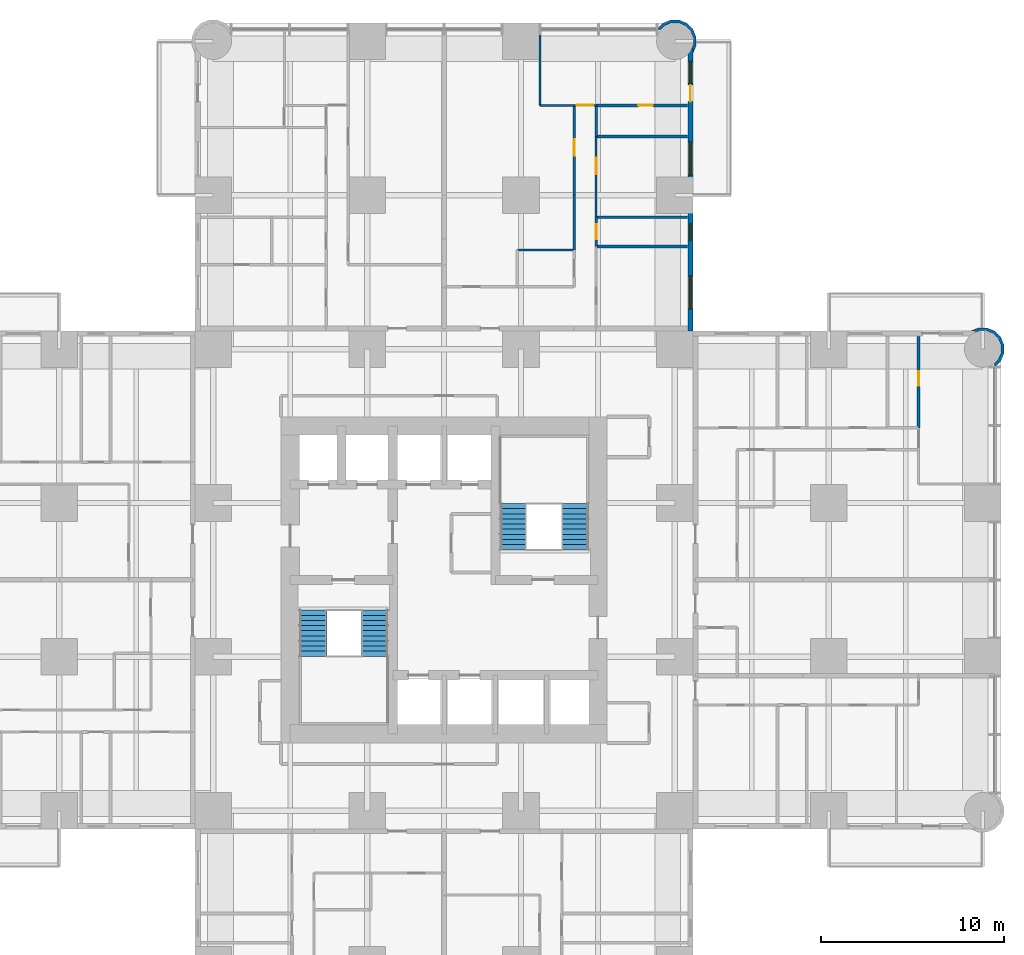
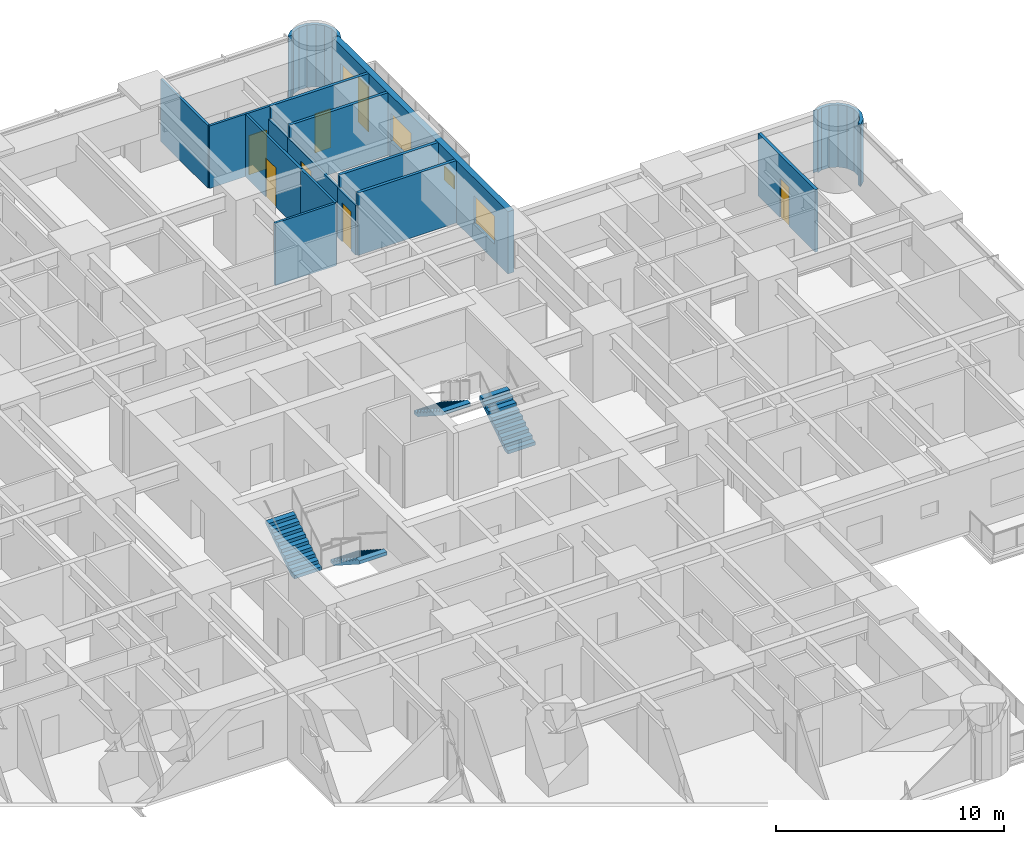
# One storey, part 15 of 17: 17 walls, 7 doors, 4 stair flights, 4 windows, 11 openings, 2 elements without a shape of their own.
"""IFC4 building model written with IfcOpenShell, lengths in metres."""

from ifc_helpers import new_model, si_unit, direction, frame, frame_2d, origin, place, context, subcontext, project, spatial, polyline, rectangle, outline, extrude, material, layer, layer_set, type_object, element, fill, aggregate, save


model = new_model("IFC4")

# Units and contexts
model_context = context("Model", 3, precision=1e-05, world=origin(), true_north=direction((0.0, 1.0)))
body_context = subcontext(model_context, "Body", "Model", "MODEL_VIEW")
ifc_project = project(units=[si_unit("LENGTHUNIT", "METRE"), si_unit("AREAUNIT", "SQUARE_METRE"), si_unit("VOLUMEUNIT", "CUBIC_METRE"), si_unit("PLANEANGLEUNIT", "RADIAN"), si_unit("MASSUNIT", "GRAM", prefix="KILO")], contexts=[model_context])

# Site, building, storey
site_placement = place(None, origin())
site = spatial("IfcSite", under=ifc_project, at=site_placement, CompositionType="ELEMENT")
building_placement = place(site_placement, origin())
building = spatial("IfcBuilding", under=site, at=building_placement, Name="Torre Alcanfor", CompositionType="ELEMENT")
storey_placement = place(building_placement, frame((0.0, 0.0, 99.300048828125)))
storey = spatial("IfcBuildingStorey", under=building, at=storey_placement, Name="L25", CompositionType="ELEMENT", Elevation=99.300048828125)

# Walls
ifc_material_1 = material(Name="Gypsum board on steel studs", Category="steel")
ifc_layer_1 = layer(ifc_material_1, 0.1201171875)
ifc_layer_set_1 = layer_set([ifc_layer_1], Name="Apartment partition 120")
wall_type_1 = type_object("IfcWallType", Name="Apartment partition 120", PredefinedType="PARTITIONING", material=ifc_layer_set_1)
wall_1_placement = place(storey_placement, frame((36.5, 47.39990234375, 0.0), z_axis=(0.0, 0.0, 1.0), x_axis=(-1.0, 0.0, 0.0)))
element("IfcWall", 1, at=wall_1_placement, inside=storey, type_object=wall_type_1, Name="Partition L25-N2-KITCHEN / L25-N2-UTIL", PredefinedType="PARTITIONING", context=body_context, shape_type="SweptSolid", body=[
    extrude(rectangle(XDim=3.10009765625, YDim=0.1201171875, at=frame_2d((1.550048828125, 0.0))), origin(), (0.0, 0.0, 1.0), 3.349853515625),
])
wall_2_placement = place(storey_placement, frame((36.5, 50.39990234375, 0.0), z_axis=(0.0, 0.0, 1.0), x_axis=(0.0, -1.0, 0.0)))
element("IfcWall", 2, at=wall_2_placement, inside=storey, type_object=wall_type_1, Name="Partition L25-N2-KITCHEN / L25-N2-HALL", PredefinedType="PARTITIONING", context=body_context, shape_type="SweptSolid", body=[
    extrude(rectangle(XDim=3.0, YDim=0.1201171875, at=frame_2d((1.5, 0.0))), origin(), (0.0, 0.0, 1.0), 3.349853515625),
])

# Wall, opening, door
wall_3_placement = place(storey_placement, frame((36.5, 55.300048828125, 0.0), z_axis=(0.0, 0.0, 1.0), x_axis=(0.0, -1.0, 0.0)))
wall_3 = element("IfcWall", 3, at=wall_3_placement, inside=storey, type_object=wall_type_1, Name="Partition L25-N2-LIVING / L25-N2-HALL", PredefinedType="PARTITIONING", context=body_context, shape_type="SweptSolid", body=[
    extrude(rectangle(XDim=4.900146484375, YDim=0.1201171875, at=frame_2d((2.4501953125, 0.0))), origin(), (0.0, 0.0, 1.0), 3.349853515625),
])
opening_1_placement = place(wall_3_placement, frame((1.85009765625, 0.0, 0.0)))
opening_1 = element("IfcOpeningElement", 4, at=opening_1_placement, cuts=wall_3, Name="Opening D-R1", PredefinedType="OPENING", context=body_context, shape_type="SweptSolid", body=[
    extrude(rectangle(XDim=0.89990234375, YDim=2.10009765625, at=frame_2d((0.449951171875, 1.050048828125))), frame((0.0, 0.070068359375, 0.0), z_axis=(0.0, -1.0, 0.0), x_axis=(1.0, 0.0, 0.0)), (0.0, 0.0, 1.0), 0.14013671875),
])
ifc_material_2 = material(Name="Timber", Category="wood")
door_type_1 = type_object("IfcDoorType", Name="Internal door 900x2100", OperationType="SINGLE_SWING_LEFT", PredefinedType="DOOR", material=ifc_material_2)
door_1_placement = place(opening_1_placement, frame((0.89990234375, 0.0, 0.0), z_axis=(0.0, 0.0, 1.0), x_axis=(-1.0, 0.0, 0.0)))
door_1 = element("IfcDoor", 5, at=door_1_placement, inside=storey, type_object=door_type_1, Name="Door L25-N2 living", OperationType="SINGLE_SWING_RIGHT", OverallHeight=2.10009765625, OverallWidth=0.89990234375, PredefinedType="DOOR", context=body_context, shape_type="SweptSolid", body=[
    extrude(rectangle(XDim=0.89990234375, YDim=2.10009765625, at=frame_2d((0.449951171875, 1.050048828125))), frame((0.0, 0.025146484375, 0.0), z_axis=(0.0, -1.0, 0.0), x_axis=(1.0, 0.0, 0.0)), (0.0, 0.0, 1.0), 0.050048828125),
])
fill(opening_1, door_1)

# Walls
wall_4_placement = place(storey_placement, frame((34.62890625, 59.449951171875, 0.0), z_axis=(0.0, 0.0, 1.0), x_axis=(0.0, -1.0, 0.0)))
element("IfcWall", 6, at=wall_4_placement, inside=storey, type_object=wall_type_1, Name="Partition L25-N2-LIVING / L25-N2-MASTER", PredefinedType="PARTITIONING", context=body_context, shape_type="SweptSolid", body=[
    extrude(rectangle(XDim=4.14990234375, YDim=0.1201171875, at=frame_2d((2.074951171875, 0.0))), origin(), (0.0, 0.0, 1.0), 3.349853515625),
])
wall_5_placement = place(storey_placement, frame((34.62890625, 55.300048828125, 0.0), z_axis=(0.0, 0.0, 1.0), x_axis=(1.0, 0.0, 0.0)))
element("IfcWall", 7, at=wall_5_placement, inside=storey, type_object=wall_type_1, Name="Partition L25-N2-LIVING / L25-N2-MASTER", PredefinedType="PARTITIONING", context=body_context, shape_type="SweptSolid", body=[
    extrude(rectangle(XDim=1.87109375, YDim=0.1201171875, at=frame_2d((0.935546875, 0.0))), origin(), (0.0, 0.0, 1.0), 3.349853515625),
])

# Wall, opening, door
wall_6_placement = place(storey_placement, frame((37.699951171875, 53.60009765625, 0.0), z_axis=(0.0, 0.0, 1.0), x_axis=(0.0, -1.0, 0.0)))
wall_6 = element("IfcWall", 8, at=wall_6_placement, inside=storey, type_object=wall_type_1, Name="Partition L25-N2-HALL / L25-N2-BED2", PredefinedType="PARTITIONING", context=body_context, shape_type="SweptSolid", body=[
    extrude(rectangle(XDim=4.400146484375, YDim=0.1201171875, at=frame_2d((2.2001953125, 0.0))), origin(), (0.0, 0.0, 1.0), 2.666748046875),
])
opening_2_placement = place(wall_6_placement, frame((1.14990234375, 0.0, 0.0)))
opening_2 = element("IfcOpeningElement", 9, at=opening_2_placement, cuts=wall_6, Name="Opening D-R1", PredefinedType="OPENING", context=body_context, shape_type="SweptSolid", body=[
    extrude(rectangle(XDim=0.89990234375, YDim=2.10009765625, at=frame_2d((0.449951171875, 1.050048828125))), frame((0.0, 0.070068359375, 0.0), z_axis=(0.0, -1.0, 0.0), x_axis=(1.0, 0.0, 0.0)), (0.0, 0.0, 1.0), 0.14013671875),
])
door_2_placement = place(opening_2_placement, origin())
door_2 = element("IfcDoor", 10, at=door_2_placement, inside=storey, type_object=door_type_1, Name="Door L25-N2 bed2", OperationType="SINGLE_SWING_LEFT", OverallHeight=2.10009765625, OverallWidth=0.89990234375, PredefinedType="DOOR", context=body_context, shape_type="SweptSolid", body=[
    extrude(rectangle(XDim=0.89990234375, YDim=2.10009765625, at=frame_2d((0.449951171875, 1.050048828125))), frame((0.0, 0.02490234375, 0.0), z_axis=(0.0, -1.0, 0.0), x_axis=(1.0, 0.0, 0.0)), (0.0, 0.0, 1.0), 0.050048828125),
])
fill(opening_2, door_2)

wall_7_placement = place(storey_placement, frame((36.5, 55.300048828125, 0.0), z_axis=(0.0, 0.0, 1.0), x_axis=(1.0, 0.0, 0.0)))
wall_7 = element("IfcWall", 11, at=wall_7_placement, inside=storey, type_object=wall_type_1, Name="Partition L25-N2-HALL / L25-N2-MASTER", PredefinedType="PARTITIONING", context=body_context, shape_type="SweptSolid", body=[
    extrude(rectangle(XDim=1.199951171875, YDim=0.1201171875, at=frame_2d((0.60009765625, 0.0))), origin(), (0.0, 0.0, 1.0), 3.349853515625),
])
opening_3_placement = place(wall_7_placement, frame((0.14990234375, 0.0, 0.0)))
opening_3 = element("IfcOpeningElement", 12, at=opening_3_placement, cuts=wall_7, Name="Opening D-R1", PredefinedType="OPENING", context=body_context, shape_type="SweptSolid", body=[
    extrude(rectangle(XDim=0.89990234375, YDim=2.10009765625, at=frame_2d((0.449951171875, 1.050048828125))), frame((0.0, 0.070068359375, 0.0), z_axis=(0.0, -1.0, 0.0), x_axis=(1.0, 0.0, 0.0)), (0.0, 0.0, 1.0), 0.14013671875),
])
door_3_placement = place(opening_3_placement, origin())
door_3 = element("IfcDoor", 13, at=door_3_placement, inside=storey, type_object=door_type_1, Name="Door L25-N2 master", OperationType="SINGLE_SWING_LEFT", OverallHeight=2.10009765625, OverallWidth=0.89990234375, PredefinedType="DOOR", context=body_context, shape_type="SweptSolid", body=[
    extrude(rectangle(XDim=0.89990234375, YDim=2.10009765625, at=frame_2d((0.449951171875, 1.050048828125))), frame((0.0, 0.02490234375, 0.0), z_axis=(0.0, -1.0, 0.0), x_axis=(1.0, 0.0, 0.0)), (0.0, 0.0, 1.0), 0.050048828125),
])
fill(opening_3, door_3)

# Wall, openings, door, windows
ifc_material_3 = material(Name="Limestone cladding", Category="masonry")
ifc_layer_2 = layer(ifc_material_3, 0.0400390625, Name="Facing")
ifc_material_4 = material(Name="Ventilated air cavity")
ifc_layer_3 = layer(ifc_material_4, 0.02001953125, ventilated=True, Name="Ventilated joint")
ifc_material_5 = material(Name="Mineral wool insulation", Category="insulation")
ifc_layer_4 = layer(ifc_material_5, 0.10009765625, Name="Insulation")
ifc_material_6 = material(Name="Concrete f'c 35 MPa", Category="concrete")
ifc_layer_5 = layer(ifc_material_6, 0.139892578125, Name="Backing")
ifc_layer_set_2 = layer_set([ifc_layer_2, ifc_layer_3, ifc_layer_4, ifc_layer_5], Name="External wall stone-clad 300")
wall_type_2 = type_object("IfcWallType", Name="External wall stone-clad 300", PredefinedType="SOLIDWALL", material=ifc_layer_set_2)
wall_8_placement = place(storey_placement, frame((42.85009765625, 43.0, 0.0), z_axis=(0.0, 0.0, 1.0), x_axis=(0.0, 1.0, 0.0)))
wall_8 = element("IfcWall", 14, at=wall_8_placement, inside=storey, type_object=wall_type_2, Name="External wall L25 10", PredefinedType="SOLIDWALL", context=body_context, shape_type="SweptSolid", body=[
    extrude(rectangle(XDim=15.39990234375, YDim=0.300048828125, at=frame_2d((7.699951171875, 0.0))), origin(), (0.0, 0.0, 1.0), 3.349853515625),
])
opening_4_placement = place(wall_8_placement, frame((1.199951171875, 0.0, 0.89990234375)))
opening_4 = element("IfcOpeningElement", 15, at=opening_4_placement, cuts=wall_8, Name="Opening W2", PredefinedType="OPENING", context=body_context, shape_type="SweptSolid", body=[
    extrude(rectangle(XDim=1.800048828125, YDim=1.5, at=frame_2d((0.89990234375, 0.75))), frame((0.0, 0.159912109375, 0.0), z_axis=(0.0, -1.0, 0.0), x_axis=(1.0, 0.0, 0.0)), (0.0, 0.0, 1.0), 0.320068359375),
])
opening_5_placement = place(wall_8_placement, frame((4.949951171875, 0.0, 1.5)))
opening_5 = element("IfcOpeningElement", 16, at=opening_5_placement, cuts=wall_8, Name="Opening W3", PredefinedType="OPENING", context=body_context, shape_type="SweptSolid", body=[
    extrude(rectangle(XDim=0.89990234375, YDim=0.699951171875, at=frame_2d((0.449951171875, 0.35009765625))), frame((0.0, 0.159912109375, 0.0), z_axis=(0.0, -1.0, 0.0), x_axis=(1.0, 0.0, 0.0)), (0.0, 0.0, 1.0), 0.320068359375),
])
opening_6_placement = place(wall_8_placement, frame((8.5, 0.0, 0.89990234375)))
opening_6 = element("IfcOpeningElement", 17, at=opening_6_placement, cuts=wall_8, Name="Opening W2", PredefinedType="OPENING", context=body_context, shape_type="SweptSolid", body=[
    extrude(rectangle(XDim=1.800048828125, YDim=1.5, at=frame_2d((0.89990234375, 0.75))), frame((0.0, 0.159912109375, 0.0), z_axis=(0.0, -1.0, 0.0), x_axis=(1.0, 0.0, 0.0)), (0.0, 0.0, 1.0), 0.320068359375),
])
opening_7_placement = place(wall_8_placement, frame((12.5, 0.0, 0.0)))
opening_7 = element("IfcOpeningElement", 18, at=opening_7_placement, cuts=wall_8, Name="Opening D-B1", PredefinedType="OPENING", context=body_context, shape_type="SweptSolid", body=[
    extrude(rectangle(XDim=0.89990234375, YDim=2.39990234375, at=frame_2d((0.449951171875, 1.199951171875))), frame((0.0, 0.159912109375, 0.0), z_axis=(0.0, -1.0, 0.0), x_axis=(1.0, 0.0, 0.0)), (0.0, 0.0, 1.0), 0.320068359375),
])
opening_8_placement = place(wall_8_placement, frame((13.5, 0.0, 0.89990234375)))
opening_8 = element("IfcOpeningElement", 19, at=opening_8_placement, cuts=wall_8, Name="Opening W4", PredefinedType="OPENING", context=body_context, shape_type="SweptSolid", body=[
    extrude(rectangle(XDim=1.199951171875, YDim=1.5, at=frame_2d((0.60009765625, 0.75))), frame((0.0, 0.159912109375, 0.0), z_axis=(0.0, -1.0, 0.0), x_axis=(1.0, 0.0, 0.0)), (0.0, 0.0, 1.0), 0.320068359375),
])
ifc_material_7 = material(Name="Aluminium and glass", Category="aluminium")
door_type_2 = type_object("IfcDoorType", Name="Balcony door glazed 900x2400", OperationType="SINGLE_SWING_LEFT", PredefinedType="DOOR", material=ifc_material_7)
door_4_placement = place(opening_7_placement, origin())
door_4 = element("IfcDoor", 20, at=door_4_placement, inside=storey, type_object=door_type_2, Name="Balcony door L25-N2", OperationType="SINGLE_SWING_LEFT", OverallHeight=2.39990234375, OverallWidth=0.89990234375, PredefinedType="DOOR", context=body_context, shape_type="SweptSolid", body=[
    extrude(rectangle(XDim=0.89990234375, YDim=2.39990234375, at=frame_2d((0.449951171875, 1.199951171875))), frame((0.0, 0.02490234375, 0.0), z_axis=(0.0, -1.0, 0.0), x_axis=(1.0, 0.0, 0.0)), (0.0, 0.0, 1.0), 0.050048828125),
])
fill(opening_7, door_4)
ifc_material_8 = material(Name="Aluminium frame with clear double glazing", Category="aluminium")
window_type_1 = type_object("IfcWindowType", Name="Window bathroom 900x700", PartitioningType="SINGLE_PANEL", PredefinedType="WINDOW", material=ifc_material_8)
window_1_placement = place(opening_5_placement, origin())
window_1 = element("IfcWindow", 21, at=window_1_placement, inside=storey, type_object=window_type_1, Name="Window W3 L25-N2", OverallHeight=0.699951171875, OverallWidth=0.89990234375, PartitioningType="SINGLE_PANEL", PredefinedType="WINDOW", context=body_context, shape_type="SweptSolid", body=[
    extrude(rectangle(XDim=0.89990234375, YDim=0.699951171875, at=frame_2d((0.449951171875, 0.35009765625))), frame((0.0, 0.030029296875, 0.0), z_axis=(0.0, -1.0, 0.0), x_axis=(1.0, 0.0, 0.0)), (0.0, 0.0, 1.0), 0.06005859375),
])
fill(opening_5, window_1)
ifc_material_9 = material(Name="Aluminium frame with clear double glazing", Category="aluminium")
window_type_2 = type_object("IfcWindowType", Name="Window bedroom 1200x1500", PartitioningType="SINGLE_PANEL", PredefinedType="WINDOW", material=ifc_material_9)
window_2_placement = place(opening_8_placement, origin())
window_2 = element("IfcWindow", 22, at=window_2_placement, inside=storey, type_object=window_type_2, Name="Window W4 L25-N2", OverallHeight=1.5, OverallWidth=1.199951171875, PartitioningType="SINGLE_PANEL", PredefinedType="WINDOW", context=body_context, shape_type="SweptSolid", body=[
    extrude(rectangle(XDim=1.199951171875, YDim=1.5, at=frame_2d((0.60009765625, 0.75))), frame((0.0, 0.030029296875, 0.0), z_axis=(0.0, -1.0, 0.0), x_axis=(1.0, 0.0, 0.0)), (0.0, 0.0, 1.0), 0.06005859375),
])
fill(opening_8, window_2)
ifc_material_10 = material(Name="Aluminium frame with clear double glazing", Category="aluminium")
window_type_3 = type_object("IfcWindowType", Name="Window bedroom 1800x1500", PartitioningType="SINGLE_PANEL", PredefinedType="WINDOW", material=ifc_material_10)
window_3_placement = place(opening_4_placement, origin())
window_3 = element("IfcWindow", 23, at=window_3_placement, inside=storey, type_object=window_type_3, Name="Window W2 L25-N2", OverallHeight=1.5, OverallWidth=1.800048828125, PartitioningType="SINGLE_PANEL", PredefinedType="WINDOW", context=body_context, shape_type="SweptSolid", body=[
    extrude(rectangle(XDim=1.800048828125, YDim=1.5, at=frame_2d((0.89990234375, 0.75))), frame((0.0, 0.030029296875, 0.0), z_axis=(0.0, -1.0, 0.0), x_axis=(1.0, 0.0, 0.0)), (0.0, 0.0, 1.0), 0.06005859375),
])
fill(opening_4, window_3)
window_4_placement = place(opening_6_placement, origin())
window_4 = element("IfcWindow", 24, at=window_4_placement, inside=storey, type_object=window_type_3, Name="Window W2 L25-N2", OverallHeight=1.5, OverallWidth=1.800048828125, PartitioningType="SINGLE_PANEL", PredefinedType="WINDOW", context=body_context, shape_type="SweptSolid", body=[
    extrude(rectangle(XDim=1.800048828125, YDim=1.5, at=frame_2d((0.89990234375, 0.75))), frame((0.0, 0.030029296875, 0.0), z_axis=(0.0, -1.0, 0.0), x_axis=(1.0, 0.0, 0.0)), (0.0, 0.0, 1.0), 0.06005859375),
])
fill(opening_6, window_4)

# Walls
ifc_layer_6 = layer(ifc_material_3, 0.0400390625, Name="Facing")
ifc_layer_7 = layer(ifc_material_4, 0.02001953125, ventilated=True, Name="Ventilated joint")
ifc_layer_8 = layer(ifc_material_5, 0.10009765625, Name="Insulation")
ifc_layer_9 = layer(ifc_material_6, 0.139892578125, Name="Backing")
ifc_layer_set_3 = layer_set([ifc_layer_6, ifc_layer_7, ifc_layer_8, ifc_layer_9], Name="Rounded corner pier stone-clad 300")
wall_type_3 = type_object("IfcWallType", Name="Rounded corner pier stone-clad 300", PredefinedType="SOLIDWALL", material=ifc_layer_set_3)
wall_9_placement = place(storey_placement, frame((59.443275148, 41.132476465, 0.0), z_axis=(0.0, 0.0, 1.0), x_axis=(0.831199417842, 0.555974394895, 0.0)))
element("IfcWall", 25, at=wall_9_placement, inside=storey, type_object=wall_type_3, Name="Corner pier L25 18", PredefinedType="SOLIDWALL", context=body_context, shape_type="SweptSolid", body=[
    extrude(outline(polyline([(0.7835193401086837, 0.24205256771245343), (1.0400602596279205, 0.6255894084649389), (1.1303371430229154, 1.0780414765952286), (1.0404992876319876, 1.5308372255281877), (0.7843213833243519, 1.9145502315306397), (0.40078454257186635, 2.1710911510498763), (-0.009157036452224432, 2.2529065499845613), (0.17104439983783215, 2.132373038591396), (0.11338764744446561, 2.06637397350674), (0.3385983594237434, 2.0214740812361995), (0.6695764479249623, 1.8000887692066359), (0.8906920485778681, 1.4689066769605825), (0.9682334735001796, 1.0780867111650443), (0.8904431898142434, 0.6877755916130619), (0.6689221418484262, 0.3565945735664713), (0.3378757855386265, 0.13568190245893724), (0.06220208349567317, 0.08098630463678677), (-0.03579926247940035, -0.0655288271215701), (0.0045837170495650476, -0.09254027843602942), (0.3998063341062316, -0.014125336595182225), (0.7835193401086837, 0.24205256771245343)])), origin(), (0.0, 0.0, 1.0), 3.349853515625),
])
wall_10_placement = place(storey_placement, frame((42.919127633, 58.23289825, 0.0), z_axis=(0.0, 0.0, 1.0), x_axis=(0.555974394895, 0.831199417842, 0.0)))
element("IfcWall", 26, at=wall_10_placement, inside=storey, type_object=wall_type_3, Name="Corner pier L25 19", PredefinedType="SOLIDWALL", context=body_context, shape_type="SweptSolid", body=[
    extrude(outline(polyline([(0.41351681354285524, -0.01308917686083888), (0.7970536542953407, 0.24345174265839792), (1.0532315586029763, 0.6271647486608499), (1.1430694139939042, 1.0799604975938089), (1.052792530598909, 1.5324125657240988), (0.7962516110796724, 1.9159494064765843), (0.4125386050772204, 2.17212731078422), (0.017315988020553785, 2.250542252625067), (-0.023066991508411627, 2.223530801310608), (0.07493435446666197, 2.077015669552251), (0.35060805650961524, 2.0223200717301006), (0.6816544128194151, 1.8014074006225664), (0.9031754607852323, 1.4702263825759758), (0.9809657444711684, 1.0799152630239934), (0.9034243195488569, 0.689095297228455), (0.6823087188959511, 0.35791320498240176), (0.3513306303947322, 0.13652789295283813), (0.12611991841545442, 0.09162800068229741), (0.18377667080882087, 0.025628935597641372), (0.0035752345187642226, -0.09490457579552383), (0.41351681354285524, -0.01308917686083888)])), origin(), (0.0, 0.0, 1.0), 3.349853515625),
])

# Wall, opening, door
ifc_material_11 = material(Name="Cement board on steel studs", Category="steel")
ifc_layer_10 = layer(ifc_material_11, 0.14990234375)
ifc_layer_set_4 = layer_set([ifc_layer_10], Name="Wet area partition 150")
wall_type_4 = type_object("IfcWallType", Name="Wet area partition 150", PredefinedType="PARTITIONING", material=ifc_layer_set_4)
wall_11_placement = place(storey_placement, frame((37.699951171875, 49.199951171875, 0.0), z_axis=(0.0, 0.0, 1.0), x_axis=(0.0, -1.0, 0.0)))
wall_11 = element("IfcWall", 27, at=wall_11_placement, inside=storey, type_object=wall_type_4, Name="Partition L25-N2-HALL / L25-N2-BATH1", PredefinedType="PARTITIONING", context=body_context, shape_type="SweptSolid", body=[
    extrude(rectangle(XDim=1.599853515625, YDim=0.14990234375, at=frame_2d((0.7998046875, 0.0))), origin(), (0.0, 0.0, 1.0), 2.666748046875),
])
opening_9_placement = place(wall_11_placement, frame((0.39990234375, 0.0, 0.0)))
opening_9 = element("IfcOpeningElement", 28, at=opening_9_placement, cuts=wall_11, Name="Opening D-R2", PredefinedType="OPENING", context=body_context, shape_type="SweptSolid", body=[
    extrude(rectangle(XDim=0.800048828125, YDim=2.10009765625, at=frame_2d((0.39990234375, 1.050048828125))), frame((0.0, 0.0849609375, 0.0), z_axis=(0.0, -1.0, 0.0), x_axis=(1.0, 0.0, 0.0)), (0.0, 0.0, 1.0), 0.169921875),
])
ifc_material_12 = material(Name="Timber", Category="wood")
door_type_3 = type_object("IfcDoorType", Name="Bathroom door 800x2100", OperationType="SINGLE_SWING_LEFT", PredefinedType="DOOR", material=ifc_material_12)
door_5_placement = place(opening_9_placement, origin())
door_5 = element("IfcDoor", 29, at=door_5_placement, inside=storey, type_object=door_type_3, Name="Door L25-N2 bath1", OperationType="SINGLE_SWING_LEFT", OverallHeight=2.10009765625, OverallWidth=0.800048828125, PredefinedType="DOOR", context=body_context, shape_type="SweptSolid", body=[
    extrude(rectangle(XDim=0.800048828125, YDim=2.10009765625, at=frame_2d((0.39990234375, 1.050048828125))), frame((0.0, 0.02490234375, 0.0), z_axis=(0.0, -1.0, 0.0), x_axis=(1.0, 0.0, 0.0)), (0.0, 0.0, 1.0), 0.050048828125),
])
fill(opening_9, door_5)

# Walls
wall_12_placement = place(storey_placement, frame((37.699951171875, 55.300048828125, 0.0), z_axis=(0.0, 0.0, 1.0), x_axis=(0.0, -1.0, 0.0)))
element("IfcWall", 30, at=wall_12_placement, inside=storey, type_object=wall_type_4, Name="Partition L25-N2-HALL / L25-N2-ENSBATH", PredefinedType="PARTITIONING", context=body_context, shape_type="SweptSolid", body=[
    extrude(rectangle(XDim=1.699951171875, YDim=0.14990234375, at=frame_2d((0.85009765625, 0.0))), origin(), (0.0, 0.0, 1.0), 2.666748046875),
])
for number, where, z_axis, x_axis, name in (
    (31, (37.699951171875, 47.60009765625, 0.0), (0.0, 0.0, 1.0), (1.0, 0.0, 0.0), "Partition L25-N2-BED3 / L25-N2-BATH1"),
    (32, (37.699951171875, 49.199951171875, 0.0), (0.0, 0.0, 1.0), (1.0, 0.0, 0.0), "Partition L25-N2-BATH1 / L25-N2-BED2"),
    (33, (37.699951171875, 53.60009765625, 0.0), (0.0, 0.0, 1.0), (1.0, 0.0, 0.0), "Partition L25-N2-BED2 / L25-N2-ENSBATH"),
):
    element("IfcWall", number, at=place(storey_placement, frame(where, z_axis=z_axis, x_axis=x_axis)), inside=storey, type_object=wall_type_4, Name=name, PredefinedType="PARTITIONING", context=body_context, shape_type="SweptSolid", body=[
        extrude(rectangle(XDim=5.0, YDim=0.14990234375, at=frame_2d((2.5, 0.0))), origin(), (0.0, 0.0, 1.0), 3.349853515625),
    ])

# Wall, opening, door
wall_13_placement = place(storey_placement, frame((37.699951171875, 55.300048828125, 0.0), z_axis=(0.0, 0.0, 1.0), x_axis=(1.0, 0.0, 0.0)))
wall_13 = element("IfcWall", 34, at=wall_13_placement, inside=storey, type_object=wall_type_4, Name="Partition L25-N2-ENSBATH / L25-N2-MASTER", PredefinedType="PARTITIONING", context=body_context, shape_type="SweptSolid", body=[
    extrude(rectangle(XDim=5.0, YDim=0.14990234375, at=frame_2d((2.5, 0.0))), origin(), (0.0, 0.0, 1.0), 3.349853515625),
])
opening_10_placement = place(wall_13_placement, frame((2.300048828125, 0.0, 0.0)))
opening_10 = element("IfcOpeningElement", 35, at=opening_10_placement, cuts=wall_13, Name="Opening D-R2", PredefinedType="OPENING", context=body_context, shape_type="SweptSolid", body=[
    extrude(rectangle(XDim=0.800048828125, YDim=2.10009765625, at=frame_2d((0.39990234375, 1.050048828125))), frame((0.0, 0.0849609375, 0.0), z_axis=(0.0, -1.0, 0.0), x_axis=(1.0, 0.0, 0.0)), (0.0, 0.0, 1.0), 0.169921875),
])
door_6_placement = place(opening_10_placement, frame((0.800048828125, 0.0, 0.0), z_axis=(0.0, 0.0, 1.0), x_axis=(-1.0, 0.0, 0.0)))
door_6 = element("IfcDoor", 36, at=door_6_placement, inside=storey, type_object=door_type_3, Name="Door L25-N2 ensbath", OperationType="SINGLE_SWING_LEFT", OverallHeight=2.10009765625, OverallWidth=0.800048828125, PredefinedType="DOOR", context=body_context, shape_type="SweptSolid", body=[
    extrude(rectangle(XDim=0.800048828125, YDim=2.10009765625, at=frame_2d((0.400146484375, 1.050048828125))), frame((0.0, 0.025146484375, 0.0), z_axis=(0.0, -1.0, 0.0), x_axis=(1.0, 0.0, 0.0)), (0.0, 0.0, 1.0), 0.050048828125),
])
fill(opening_10, door_6)

wall_14_placement = place(storey_placement, frame((55.300048828125, 37.699951171875, 0.0), z_axis=(0.0, 0.0, 1.0), x_axis=(0.0, 1.0, 0.0)))
wall_14 = element("IfcWall", 37, at=wall_14_placement, inside=storey, type_object=wall_type_4, Name="Partition L25-E1-ENSBATH / L25-E1-MASTER", PredefinedType="PARTITIONING", context=body_context, shape_type="SweptSolid", body=[
    extrude(rectangle(XDim=5.0, YDim=0.14990234375, at=frame_2d((2.5, 0.0))), origin(), (0.0, 0.0, 1.0), 3.349853515625),
])
opening_11_placement = place(wall_14_placement, frame((2.300048828125, 0.0, 0.0)))
opening_11 = element("IfcOpeningElement", 38, at=opening_11_placement, cuts=wall_14, Name="Opening D-R2", PredefinedType="OPENING", context=body_context, shape_type="SweptSolid", body=[
    extrude(rectangle(XDim=0.800048828125, YDim=2.10009765625, at=frame_2d((0.39990234375, 1.050048828125))), frame((0.0, 0.0849609375, 0.0), z_axis=(0.0, -1.0, 0.0), x_axis=(1.0, 0.0, 0.0)), (0.0, 0.0, 1.0), 0.169921875),
])
door_7_placement = place(opening_11_placement, origin())
door_7 = element("IfcDoor", 39, at=door_7_placement, inside=storey, type_object=door_type_3, Name="Door L25-E1 ensbath", OperationType="SINGLE_SWING_RIGHT", OverallHeight=2.10009765625, OverallWidth=0.800048828125, PredefinedType="DOOR", context=body_context, shape_type="SweptSolid", body=[
    extrude(rectangle(XDim=0.800048828125, YDim=2.10009765625, at=frame_2d((0.39990234375, 1.050048828125))), frame((0.0, 0.02490234375, 0.0), z_axis=(0.0, -1.0, 0.0), x_axis=(1.0, 0.0, 0.0)), (0.0, 0.0, 1.0), 0.050048828125),
])
fill(opening_11, door_7)

# Stair, stair flights
ifc_material_13 = material(Name="Concrete f'c 35 MPa", Category="concrete")
stair_type_1 = type_object("IfcStairType", Name="Exit stair S1 1400 wide", PredefinedType="HALF_TURN_STAIR", material=ifc_material_13)
stair_1_placement = place(storey_placement, origin())
stair_1 = element("IfcStair", 40, at=stair_1_placement, inside=storey, type_object=stair_type_1, Name="Stair S1 L25 to L26", PredefinedType="HALF_TURN_STAIR")
ifc_material_14 = material(Name="Concrete f'c 35 MPa", Category="concrete")
stair_flight_type = type_object("IfcStairFlightType", Name="Stair flight 1400", PredefinedType="STRAIGHT", material=ifc_material_14)
stair_flight_1_placement = place(storey_placement, frame((25.60009765625, 27.75, 0.0), z_axis=(0.0, 0.0, 1.0), x_axis=(0.0, -1.0, 0.0)))
stair_flight_1 = element("IfcStairFlight", 41, at=stair_flight_1_placement, type_object=stair_flight_type, Name="S1 flight 1", NumberOfRisers=10, NumberOfTreads=9, PredefinedType="STRAIGHT", RiserHeight=0.18, TreadLength=0.28, context=body_context, shape_type="SweptSolid", body=[
    extrude(outline(polyline([(0.0, 0.0), (0.0, 0.179931640625), (0.280029296875, 0.179931640625), (0.280029296875, 0.360107421875), (0.56005859375, 0.360107421875), (0.56005859375, 0.5400390625), (0.840087890625, 0.5400390625), (0.840087890625, 0.719970703125), (1.1201171875, 0.719970703125), (1.1201171875, 0.89990234375), (1.39990234375, 0.89990234375), (1.39990234375, 1.080078125), (1.679931640625, 1.080078125), (1.679931640625, 1.260009765625), (1.9599609375, 1.260009765625), (1.9599609375, 1.43994140625), (2.239990234375, 1.43994140625), (2.239990234375, 1.6201171875), (2.52001953125, 1.6201171875), (2.52001953125, 1.800048828125), (2.52001953125, 1.44189453125), (0.277099609375, 0.0), (0.0, 0.0)])), frame((0.0, 0.699951171875, 0.0), z_axis=(0.0, -1.0, 0.0), x_axis=(1.0, 0.0, 0.0)), (0.0, 0.0, 1.0), 1.39990234375),
])
stair_flight_2_placement = place(storey_placement, frame((22.300048828125, 25.22998046875, 1.800048828125), z_axis=(0.0, 0.0, 1.0), x_axis=(0.0, 1.0, 0.0)))
stair_flight_2 = element("IfcStairFlight", 42, at=stair_flight_2_placement, type_object=stair_flight_type, Name="S1 flight 2", NumberOfRisers=10, NumberOfTreads=9, PredefinedType="STRAIGHT", RiserHeight=0.18, TreadLength=0.28, context=body_context, shape_type="SweptSolid", body=[
    extrude(outline(polyline([(0.0, 0.0), (0.0, 0.179931640625), (0.280029296875, 0.179931640625), (0.280029296875, 0.360107421875), (0.56005859375, 0.360107421875), (0.56005859375, 0.5400390625), (0.840087890625, 0.5400390625), (0.840087890625, 0.719970703125), (1.1201171875, 0.719970703125), (1.1201171875, 0.89990234375), (1.39990234375, 0.89990234375), (1.39990234375, 1.080078125), (1.679931640625, 1.080078125), (1.679931640625, 1.260009765625), (1.9599609375, 1.260009765625), (1.9599609375, 1.43994140625), (2.239990234375, 1.43994140625), (2.239990234375, 1.6201171875), (2.52001953125, 1.6201171875), (2.52001953125, 1.800048828125), (2.52001953125, 1.44189453125), (0.277099609375, 0.0), (0.0, 0.0)])), frame((0.0, 0.699951171875, 0.0), z_axis=(0.0, -1.0, 0.0), x_axis=(1.0, 0.0, 0.0)), (0.0, 0.0, 1.0), 1.39990234375),
])
aggregate(stair_1, [stair_flight_1, stair_flight_2])

ifc_material_15 = material(Name="Concrete f'c 35 MPa", Category="concrete")
stair_type_2 = type_object("IfcStairType", Name="Exit stair S2 1400 wide", PredefinedType="HALF_TURN_STAIR", material=ifc_material_15)
stair_2_placement = place(storey_placement, origin())
stair_2 = element("IfcStair", 43, at=stair_2_placement, inside=storey, type_object=stair_type_2, Name="Stair S2 L25 to L26", PredefinedType="HALF_TURN_STAIR")
stair_flight_3_placement = place(storey_placement, frame((36.5, 31.050048828125, 0.0), z_axis=(0.0, 0.0, 1.0), x_axis=(0.0, 1.0, 0.0)))
stair_flight_3 = element("IfcStairFlight", 44, at=stair_flight_3_placement, type_object=stair_flight_type, Name="S2 flight 1", NumberOfRisers=10, NumberOfTreads=9, PredefinedType="STRAIGHT", RiserHeight=0.18, TreadLength=0.28, context=body_context, shape_type="SweptSolid", body=[
    extrude(outline(polyline([(0.0, 0.0), (0.0, 0.179931640625), (0.280029296875, 0.179931640625), (0.280029296875, 0.360107421875), (0.56005859375, 0.360107421875), (0.56005859375, 0.5400390625), (0.840087890625, 0.5400390625), (0.840087890625, 0.719970703125), (1.1201171875, 0.719970703125), (1.1201171875, 0.89990234375), (1.39990234375, 0.89990234375), (1.39990234375, 1.080078125), (1.679931640625, 1.080078125), (1.679931640625, 1.260009765625), (1.9599609375, 1.260009765625), (1.9599609375, 1.43994140625), (2.239990234375, 1.43994140625), (2.239990234375, 1.6201171875), (2.52001953125, 1.6201171875), (2.52001953125, 1.800048828125), (2.52001953125, 1.44189453125), (0.277099609375, 0.0), (0.0, 0.0)])), frame((0.0, 0.699951171875, 0.0), z_axis=(0.0, -1.0, 0.0), x_axis=(1.0, 0.0, 0.0)), (0.0, 0.0, 1.0), 1.39990234375),
])
stair_flight_4_placement = place(storey_placement, frame((33.199951171875, 33.570068359375, 1.800048828125), z_axis=(0.0, 0.0, 1.0), x_axis=(0.0, -1.0, 0.0)))
stair_flight_4 = element("IfcStairFlight", 45, at=stair_flight_4_placement, type_object=stair_flight_type, Name="S2 flight 2", NumberOfRisers=10, NumberOfTreads=9, PredefinedType="STRAIGHT", RiserHeight=0.18, TreadLength=0.28, context=body_context, shape_type="SweptSolid", body=[
    extrude(outline(polyline([(0.0, 0.0), (0.0, 0.179931640625), (0.280029296875, 0.179931640625), (0.280029296875, 0.360107421875), (0.56005859375, 0.360107421875), (0.56005859375, 0.5400390625), (0.840087890625, 0.5400390625), (0.840087890625, 0.719970703125), (1.1201171875, 0.719970703125), (1.1201171875, 0.89990234375), (1.39990234375, 0.89990234375), (1.39990234375, 1.080078125), (1.679931640625, 1.080078125), (1.679931640625, 1.260009765625), (1.9599609375, 1.260009765625), (1.9599609375, 1.43994140625), (2.239990234375, 1.43994140625), (2.239990234375, 1.6201171875), (2.52001953125, 1.6201171875), (2.52001953125, 1.800048828125), (2.52001953125, 1.44189453125), (0.277099609375, 0.0), (0.0, 0.0)])), frame((0.0, 0.699951171875, 0.0), z_axis=(0.0, -1.0, 0.0), x_axis=(1.0, 0.0, 0.0)), (0.0, 0.0, 1.0), 1.39990234375),
])
aggregate(stair_2, [stair_flight_3, stair_flight_4])

save(model, "model.ifc")
